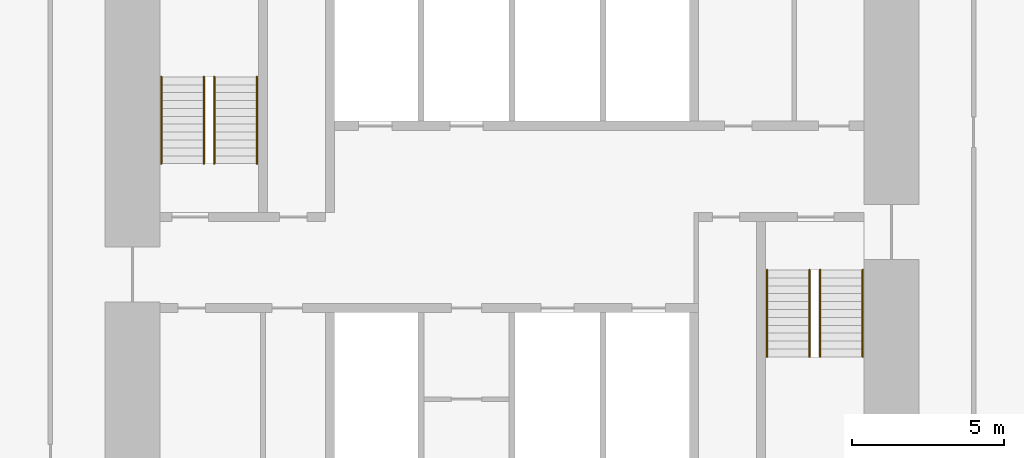
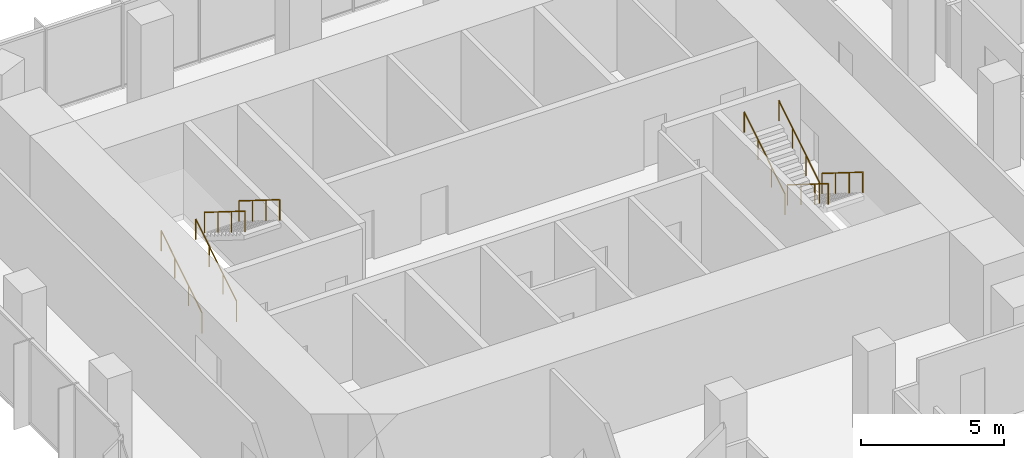
# One storey, part 11 of 11: 8 railings.
"""IFC4 building model written with IfcOpenShell, lengths in metres."""

from ifc_helpers import new_model, si_unit, direction, frame, origin, origin_2d, place, context, subcontext, project, spatial, circle, extrude, material, type_object, element, save


model = new_model("IFC4")

# Units and contexts
model_context = context("Model", 3, precision=1e-05, world=origin(), true_north=direction((0.0, 1.0)))
body_context = subcontext(model_context, "Body", "Model", "MODEL_VIEW")
ifc_project = project(units=[si_unit("LENGTHUNIT", "METRE"), si_unit("AREAUNIT", "SQUARE_METRE"), si_unit("VOLUMEUNIT", "CUBIC_METRE"), si_unit("PLANEANGLEUNIT", "RADIAN"), si_unit("MASSUNIT", "GRAM", prefix="KILO")], contexts=[model_context])

# Site, building, storey
site_placement = place(None, origin())
site = spatial("IfcSite", under=ifc_project, at=site_placement, CompositionType="ELEMENT")
building_placement = place(site_placement, origin())
building = spatial("IfcBuilding", under=site, at=building_placement, Name="Highveld Stack Headquarters", CompositionType="ELEMENT")
storey_placement = place(building_placement, frame((0.0, 0.0, 291.800048828125)))
storey = spatial("IfcBuildingStorey", under=building, at=storey_placement, Name="L72", CompositionType="ELEMENT", Elevation=291.800048828125)

# Railings
ifc_material = material(Name="Stainless steel handrail", Category="steel")
railing_type = type_object("IfcRailingType", Name="STAIR HANDRAIL HR1 900", PredefinedType="HANDRAIL", material=ifc_material)
for number, where, name in (
    (1, (-5.550048828125, 4.75, 0.162353515625), "Handrail S1 L72 flight 1"),
    (2, (-4.14990234375, 4.75, 0.162353515625), "Handrail S1 L72 flight 1"),
):
    element("IfcRailing", number, at=place(storey_placement, frame(where)), inside=storey, type_object=railing_type, Name=name, PredefinedType="HANDRAIL", context=body_context, shape_type="SweptSolid", body=[
        extrude(circle(Radius=0.02392578125, at=origin_2d()), frame((0.0, 0.0, 0.8759765625), z_axis=(0.0, 0.847994237388, 0.530005446535), x_axis=(-1.0, 0.0, 0.0)), (0.0, 0.0, 1.0), 3.372802734375),
        extrude(circle(Radius=0.02099609375, at=origin_2d()), origin(), (0.0, 0.0, 1.0), 0.851806640625),
        extrude(circle(Radius=0.02099609375, at=origin_2d()), frame((0.0, 0.953369140625, 0.595947265625)), (0.0, 0.0, 1.0), 0.851806640625),
        extrude(circle(Radius=0.02099609375, at=origin_2d()), frame((0.0, 1.90673828125, 1.191650390625)), (0.0, 0.0, 1.0), 0.851806640625),
        extrude(circle(Radius=0.02099609375, at=origin_2d()), frame((0.0, 2.860107421875, 1.78759765625)), (0.0, 0.0, 1.0), 0.851806640625),
    ])
for number, where, name in (
    (3, (-3.800048828125, 7.610107421875, 2.112548828125), "Handrail S1 L72 flight 2"),
    (4, (-2.39990234375, 7.610107421875, 2.112548828125), "Handrail S1 L72 flight 2"),
):
    element("IfcRailing", number, at=place(storey_placement, frame(where)), inside=storey, type_object=railing_type, Name=name, PredefinedType="HANDRAIL", context=body_context, shape_type="SweptSolid", body=[
        extrude(circle(Radius=0.02392578125, at=origin_2d()), frame((0.0, 0.0, 0.8759765625), z_axis=(0.0, -0.848026770018, 0.529953391661), x_axis=(1.0, 0.0, 0.0)), (0.0, 0.0, 1.0), 3.37255859375),
        extrude(circle(Radius=0.02099609375, at=origin_2d()), origin(), (0.0, 0.0, 1.0), 0.851806640625),
        extrude(circle(Radius=0.02099609375, at=origin_2d()), frame((0.0, -0.953369140625, 0.595703125)), (0.0, 0.0, 1.0), 0.851806640625),
        extrude(circle(Radius=0.02099609375, at=origin_2d()), frame((0.0, -1.90673828125, 1.191650390625)), (0.0, 0.0, 1.0), 0.851806640625),
        extrude(circle(Radius=0.02099609375, at=origin_2d()), frame((0.0, -2.860107421875, 1.787353515625)), (0.0, 0.0, 1.0), 0.851806640625),
    ])
for number, where, name in (
    (5, (16.14990234375, 1.25, 0.162353515625), "Handrail S2 L72 flight 1"),
    (6, (17.550048828125, 1.25, 0.162353515625), "Handrail S2 L72 flight 1"),
):
    element("IfcRailing", number, at=place(storey_placement, frame(where)), inside=storey, type_object=railing_type, Name=name, PredefinedType="HANDRAIL", context=body_context, shape_type="SweptSolid", body=[
        extrude(circle(Radius=0.02392578125, at=origin_2d()), frame((0.0, 0.0, 0.8759765625), z_axis=(0.0, -0.847994237388, 0.530005446535), x_axis=(1.0, 0.0, 0.0)), (0.0, 0.0, 1.0), 3.372802734375),
        extrude(circle(Radius=0.02099609375, at=origin_2d()), origin(), (0.0, 0.0, 1.0), 0.851806640625),
        extrude(circle(Radius=0.02099609375, at=origin_2d()), frame((0.0, -0.953369140625, 0.595947265625)), (0.0, 0.0, 1.0), 0.851806640625),
        extrude(circle(Radius=0.02099609375, at=origin_2d()), frame((0.0, -1.90673828125, 1.191650390625)), (0.0, 0.0, 1.0), 0.851806640625),
        extrude(circle(Radius=0.02099609375, at=origin_2d()), frame((0.0, -2.860107421875, 1.78759765625)), (0.0, 0.0, 1.0), 0.851806640625),
    ])
for number, where, name in (
    (7, (14.39990234375, -1.610107421875, 2.112548828125), "Handrail S2 L72 flight 2"),
    (8, (15.800048828125, -1.610107421875, 2.112548828125), "Handrail S2 L72 flight 2"),
):
    element("IfcRailing", number, at=place(storey_placement, frame(where)), inside=storey, type_object=railing_type, Name=name, PredefinedType="HANDRAIL", context=body_context, shape_type="SweptSolid", body=[
        extrude(circle(Radius=0.02392578125, at=origin_2d()), frame((0.0, 0.0, 0.8759765625), z_axis=(0.0, 0.848026770018, 0.529953391661), x_axis=(-1.0, 0.0, 0.0)), (0.0, 0.0, 1.0), 3.37255859375),
        extrude(circle(Radius=0.02099609375, at=origin_2d()), origin(), (0.0, 0.0, 1.0), 0.851806640625),
        extrude(circle(Radius=0.02099609375, at=origin_2d()), frame((0.0, 0.953369140625, 0.595703125)), (0.0, 0.0, 1.0), 0.851806640625),
        extrude(circle(Radius=0.02099609375, at=origin_2d()), frame((0.0, 1.90673828125, 1.191650390625)), (0.0, 0.0, 1.0), 0.851806640625),
        extrude(circle(Radius=0.02099609375, at=origin_2d()), frame((0.0, 2.860107421875, 1.787353515625)), (0.0, 0.0, 1.0), 0.851806640625),
    ])

save(model, "model.ifc")
